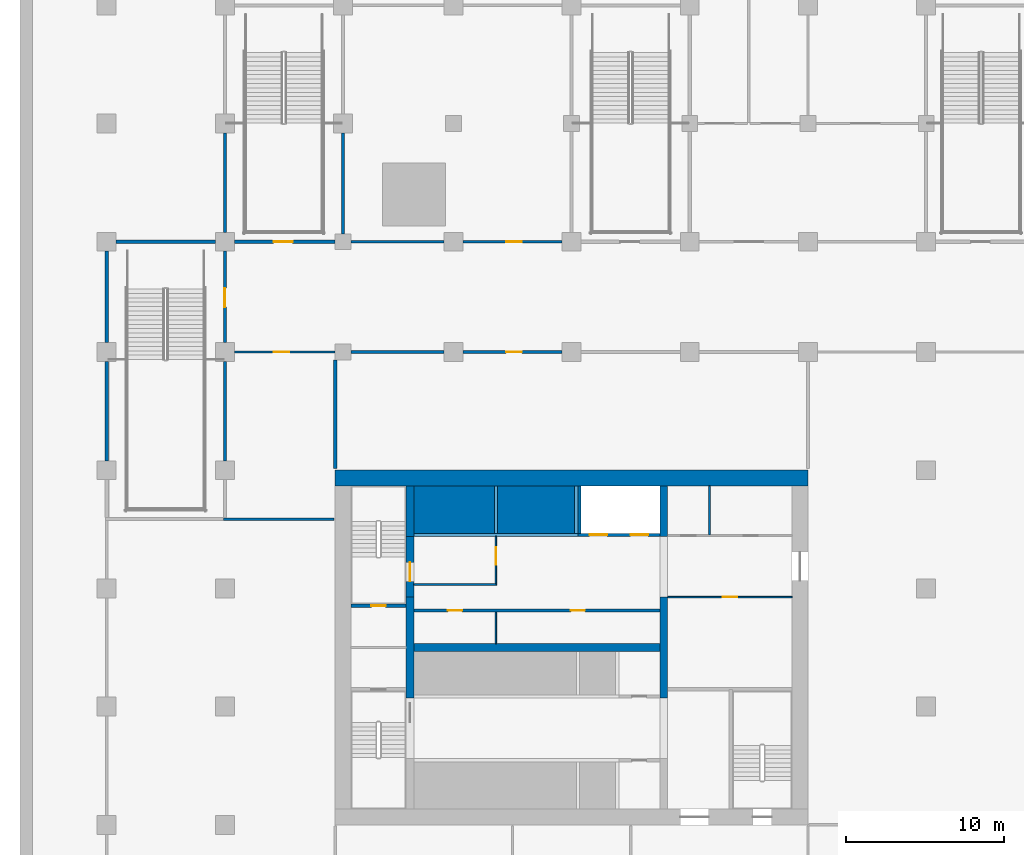
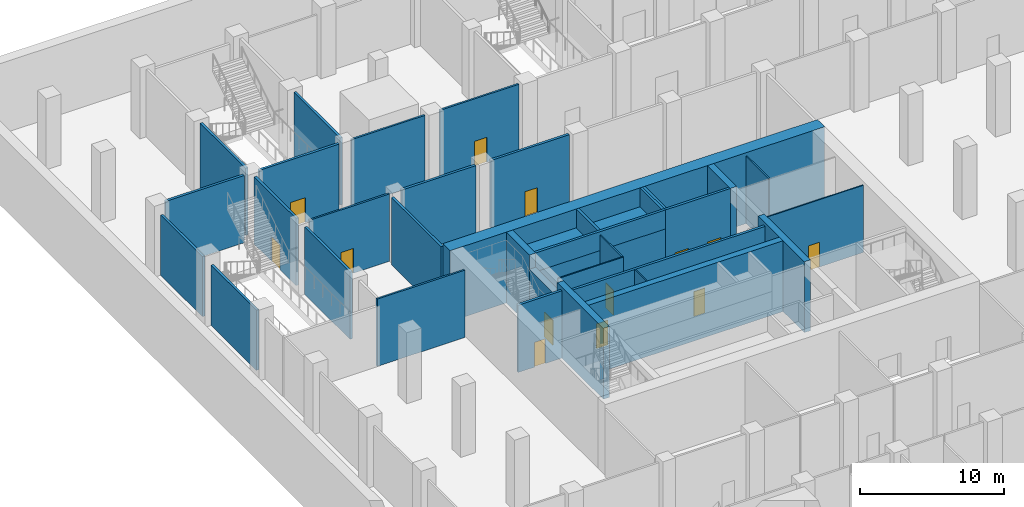
# One storey, part 9 of 45: 35 walls, 13 doors, 13 openings.
"""IFC4 building model written with IfcOpenShell, lengths in metres."""

from ifc_helpers import new_model, si_unit, direction, frame, frame_2d, origin, place, context, subcontext, project, spatial, rectangle, extrude, material, layer, layer_set, type_object, element, fill, save


model = new_model("IFC4")

# Units and contexts
model_context = context("Model", 3, precision=1e-05, world=origin(), true_north=direction((0.0, 1.0)))
body_context = subcontext(model_context, "Body", "Model", "MODEL_VIEW")
ifc_project = project(units=[si_unit("LENGTHUNIT", "METRE"), si_unit("AREAUNIT", "SQUARE_METRE"), si_unit("VOLUMEUNIT", "CUBIC_METRE"), si_unit("PLANEANGLEUNIT", "RADIAN"), si_unit("MASSUNIT", "GRAM", prefix="KILO")], contexts=[model_context])

# Site, building, storey
site_placement = place(None, origin())
site = spatial("IfcSite", under=ifc_project, at=site_placement, CompositionType="ELEMENT")
building_placement = place(site_placement, origin())
building = spatial("IfcBuilding", under=site, at=building_placement, Name="Tamorin Gate", CompositionType="ELEMENT")
storey_placement = place(building_placement, frame((0.0, 0.0, -6.0)))
storey = spatial("IfcBuildingStorey", under=building, at=storey_placement, Name="B1", CompositionType="ELEMENT", Elevation=-6.0)

# Wall
ifc_material_1 = material(Name="Concrete C32/40", Category="concrete")
ifc_layer_1 = layer(ifc_material_1, 0.199951171875)
ifc_layer_set_1 = layer_set([ifc_layer_1], Name="Lift lobby face wall 200 EI 120")
wall_type_1 = type_object("IfcWallType", Name="Lift lobby face wall 200 EI 120", PredefinedType="SOLIDWALL", material=ifc_layer_set_1)
wall_1_placement = place(storey_placement, frame((35.0, 78.39990234375, 4.39990234375), z_axis=(0.0, 0.0, 1.0), x_axis=(1.0, 0.0, 0.0)))
element("IfcWall", 1, at=wall_1_placement, inside=storey, type_object=wall_type_1, Name="Lift lobby face wall", PredefinedType="SOLIDWALL", context=body_context, shape_type="SweptSolid", body=[
    extrude(rectangle(XDim=10.39990234375, YDim=0.199951171875, at=frame_2d((5.199951171875, 0.0))), origin(), (0.0, 0.0, 1.0), 1.60009765625),
])

# Wall, openings, doors
wall_2_placement = place(storey_placement, frame((45.39990234375, 78.39990234375, 0.0), z_axis=(0.0, 0.0, 1.0), x_axis=(1.0, 0.0, 0.0)))
wall_2 = element("IfcWall", 2, at=wall_2_placement, inside=storey, type_object=wall_type_1, Name="Lift lobby face wall", PredefinedType="SOLIDWALL", context=body_context, shape_type="SweptSolid", body=[
    extrude(rectangle(XDim=5.2001953125, YDim=0.199951171875, at=frame_2d((2.60009765625, 0.0))), origin(), (0.0, 0.0, 1.0), 6.0),
])
opening_1_placement = place(wall_2_placement, frame((0.75, 0.0, 0.0)))
opening_1 = element("IfcOpeningElement", 3, at=opening_1_placement, cuts=wall_2, Name="Opening LD21", PredefinedType="OPENING", context=body_context, shape_type="SweptSolid", body=[
    extrude(rectangle(XDim=1.10009765625, YDim=2.10009765625, at=frame_2d((0.550048828125, 1.050048828125))), frame((0.0, 0.10986328125, 0.0), z_axis=(0.0, -1.0, 0.0), x_axis=(1.0, 0.0, 0.0)), (0.0, 0.0, 1.0), 0.219970703125),
])
opening_2_placement = place(wall_2_placement, frame((3.35009765625, 0.0, 0.0)))
opening_2 = element("IfcOpeningElement", 4, at=opening_2_placement, cuts=wall_2, Name="Opening LD22", PredefinedType="OPENING", context=body_context, shape_type="SweptSolid", body=[
    extrude(rectangle(XDim=1.10009765625, YDim=2.10009765625, at=frame_2d((0.550048828125, 1.050048828125))), frame((0.0, 0.10986328125, 0.0), z_axis=(0.0, -1.0, 0.0), x_axis=(1.0, 0.0, 0.0)), (0.0, 0.0, 1.0), 0.219970703125),
])
ifc_material_2 = material(Name="Stainless steel sliding door", Category="steel")
door_type_1 = type_object("IfcDoorType", Name="Lift landing door 1100 x 2100 E 90", OperationType="DOUBLE_DOOR_SLIDING", PredefinedType="DOOR", material=ifc_material_2)
door_1_placement = place(opening_1_placement, origin())
door_1 = element("IfcDoor", 5, at=door_1_placement, inside=storey, type_object=door_type_1, Name="SV1 landing door", OperationType="DOUBLE_DOOR_SLIDING", OverallHeight=2.10009765625, OverallWidth=1.10009765625, PredefinedType="DOOR", context=body_context, shape_type="SweptSolid", body=[
    extrude(rectangle(XDim=1.10009765625, YDim=2.10009765625, at=frame_2d((0.550048828125, 1.050048828125))), frame((0.0, 0.02490234375, 0.0), z_axis=(0.0, -1.0, 0.0), x_axis=(1.0, 0.0, 0.0)), (0.0, 0.0, 1.0), 0.050048828125),
])
fill(opening_1, door_1)
door_2_placement = place(opening_2_placement, origin())
door_2 = element("IfcDoor", 6, at=door_2_placement, inside=storey, type_object=door_type_1, Name="SV2 landing door", OperationType="DOUBLE_DOOR_SLIDING", OverallHeight=2.10009765625, OverallWidth=1.10009765625, PredefinedType="DOOR", context=body_context, shape_type="SweptSolid", body=[
    extrude(rectangle(XDim=1.10009765625, YDim=2.10009765625, at=frame_2d((0.550048828125, 1.050048828125))), frame((0.0, 0.02490234375, 0.0), z_axis=(0.0, -1.0, 0.0), x_axis=(1.0, 0.0, 0.0)), (0.0, 0.0, 1.0), 0.050048828125),
])
fill(opening_2, door_2)

# Walls
ifc_material_3 = material(Name="Concrete C40/50", Category="concrete")
ifc_layer_2 = layer(ifc_material_3, 3.199951171875)
ifc_layer_set_2 = layer_set([ifc_layer_2], Name="Lift pit plinth wall 3200 C40/50")
wall_type_2 = type_object("IfcWallType", Name="Lift pit plinth wall 3200 C40/50", PredefinedType="SOLIDWALL", material=ifc_layer_set_2)
wall_3_placement = place(storey_placement, frame((35.0, 79.89990234375, 0.0), z_axis=(0.0, 0.0, 1.0), x_axis=(1.0, 0.0, 0.0)))
element("IfcWall", 7, at=wall_3_placement, inside=storey, type_object=wall_type_2, Name="Lift pit plinth", PredefinedType="SOLIDWALL", context=body_context, shape_type="SweptSolid", body=[
    extrude(rectangle(XDim=10.39990234375, YDim=3.199951171875, at=frame_2d((5.199951171875, 0.0))), origin(), (0.0, 0.0, 1.0), 4.39990234375),
])
ifc_layer_3 = layer(ifc_material_1, 0.199951171875)
ifc_layer_set_3 = layer_set([ifc_layer_3], Name="Lift shaft wall 200 EI 120")
wall_type_3 = type_object("IfcWallType", Name="Lift shaft wall 200 EI 120", PredefinedType="SOLIDWALL", material=ifc_layer_set_3)
for number, where, z_axis, x_axis, name in (
    (8, (40.199951171875, 78.5, 4.39990234375), (0.0, 0.0, 1.0), (0.0, 1.0, 0.0), "Lift shaft wall"),
    (9, (45.300048828125, 78.5, 4.39990234375), (0.0, 0.0, 1.0), (0.0, 1.0, 0.0), "Lift shaft wall"),
):
    element("IfcWall", number, at=place(storey_placement, frame(where, z_axis=z_axis, x_axis=x_axis)), inside=storey, type_object=wall_type_3, Name=name, PredefinedType="SOLIDWALL", context=body_context, shape_type="SweptSolid", body=[
        extrude(rectangle(XDim=3.0, YDim=0.199951171875, at=frame_2d((1.5, 0.0))), origin(), (0.0, 0.0, 1.0), 1.60009765625),
    ])
wall_4_placement = place(storey_placement, frame((45.5, 78.5, 0.0), z_axis=(0.0, 0.0, 1.0), x_axis=(0.0, 1.0, 0.0)))
element("IfcWall", 10, at=wall_4_placement, inside=storey, type_object=wall_type_3, Name="Lift shaft wall", PredefinedType="SOLIDWALL", context=body_context, shape_type="SweptSolid", body=[
    extrude(rectangle(XDim=3.0, YDim=0.199951171875, at=frame_2d((1.5, 0.0))), origin(), (0.0, 0.0, 1.0), 6.0),
])
ifc_material_4 = material(Name="Fire-rated gypsum board partition")
ifc_layer_4 = layer(ifc_material_4, 0.10009765625)
ifc_layer_set_4 = layer_set([ifc_layer_4], Name="Lobby wall 100 EI 60")
wall_type_4 = type_object("IfcWallType", Name="Lobby wall 100 EI 60", PredefinedType="PARTITIONING", material=ifc_layer_set_4)
wall_5_placement = place(storey_placement, frame((35.0, 75.25, 0.0), z_axis=(0.0, 0.0, 1.0), x_axis=(1.0, 0.0, 0.0)))
element("IfcWall", 11, at=wall_5_placement, inside=storey, type_object=wall_type_4, Name="Firefighting lobby wall", PredefinedType="PARTITIONING", context=body_context, shape_type="SweptSolid", body=[
    extrude(rectangle(XDim=5.25, YDim=0.10009765625, at=frame_2d((2.625, 0.0))), origin(), (0.0, 0.0, 1.0), 5.699951171875),
])

# Wall, opening, door
wall_6_placement = place(storey_placement, frame((40.199951171875, 75.300048828125, 0.0), z_axis=(0.0, 0.0, 1.0), x_axis=(0.0, 1.0, 0.0)))
wall_6 = element("IfcWall", 12, at=wall_6_placement, inside=storey, type_object=wall_type_4, Name="Firefighting lobby wall", PredefinedType="PARTITIONING", context=body_context, shape_type="SweptSolid", body=[
    extrude(rectangle(XDim=3.0, YDim=0.10009765625, at=frame_2d((1.5, 0.0))), origin(), (0.0, 0.0, 1.0), 5.699951171875),
])
opening_3_placement = place(wall_6_placement, frame((1.199951171875, 0.0, 0.0)))
opening_3 = element("IfcOpeningElement", 13, at=opening_3_placement, cuts=wall_6, Name="Opening DF1", PredefinedType="OPENING", context=body_context, shape_type="SweptSolid", body=[
    extrude(rectangle(XDim=1.10009765625, YDim=2.10009765625, at=frame_2d((0.550048828125, 1.050048828125))), frame((0.0, 0.06005859375, 0.0), z_axis=(0.0, -1.0, 0.0), x_axis=(1.0, 0.0, 0.0)), (0.0, 0.0, 1.0), 0.1201171875),
])
ifc_material_5 = material(Name="Steel fire door", Category="steel")
door_type_2 = type_object("IfcDoorType", Name="Firefighting lobby door 1100 x 2100 EI 90", OperationType="SINGLE_SWING_LEFT", PredefinedType="DOOR", material=ifc_material_5)
door_3_placement = place(opening_3_placement, origin())
door_3 = element("IfcDoor", 14, at=door_3_placement, inside=storey, type_object=door_type_2, Name="Firefighting lobby door", OperationType="SINGLE_SWING_LEFT", OverallHeight=2.10009765625, OverallWidth=1.10009765625, PredefinedType="DOOR", context=body_context, shape_type="SweptSolid", body=[
    extrude(rectangle(XDim=1.10009765625, YDim=2.10009765625, at=frame_2d((0.550048828125, 1.050048828125))), frame((0.0, 0.02490234375, 0.0), z_axis=(0.0, -1.0, 0.0), x_axis=(1.0, 0.0, 0.0)), (0.0, 0.0, 1.0), 0.050048828125),
])
fill(opening_3, door_3)

ifc_material_6 = material(Name="Concrete masonry C20/25", Category="masonry")
ifc_layer_5 = layer(ifc_material_6, 0.14990234375)
ifc_layer_set_5 = layer_set([ifc_layer_5], Name="Partition 150")
wall_type_5 = type_object("IfcWallType", Name="Partition 150", PredefinedType="PARTITIONING", material=ifc_layer_set_5)
wall_7_placement = place(storey_placement, frame((23.60009765625, 90.0, 0.0), z_axis=(0.0, 0.0, 1.0), x_axis=(1.0, 0.0, 0.0)))
wall_7 = element("IfcWall", 15, at=wall_7_placement, inside=storey, type_object=wall_type_5, Name="Partition 150 B1", PredefinedType="PARTITIONING", context=body_context, shape_type="SweptSolid", body=[
    extrude(rectangle(XDim=6.39990234375, YDim=0.14990234375, at=frame_2d((3.199951171875, 0.0))), origin(), (0.0, 0.0, 1.0), 5.699951171875),
])
opening_4_placement = place(wall_7_placement, frame((2.5, 0.0, 0.0)))
opening_4 = element("IfcOpeningElement", 16, at=opening_4_placement, cuts=wall_7, Name="Opening DP2", PredefinedType="OPENING", context=body_context, shape_type="SweptSolid", body=[
    extrude(rectangle(XDim=1.0, YDim=2.10009765625, at=frame_2d((0.5, 1.050048828125))), frame((0.0, 0.0849609375, 0.0), z_axis=(0.0, -1.0, 0.0), x_axis=(1.0, 0.0, 0.0)), (0.0, 0.0, 1.0), 0.169921875),
])
ifc_material_7 = material(Name="Painted steel", Category="steel")
door_type_3 = type_object("IfcDoorType", Name="Door single 1000", OperationType="SINGLE_SWING_LEFT", PredefinedType="DOOR", material=ifc_material_7)
door_4_placement = place(opening_4_placement, origin())
door_4 = element("IfcDoor", 17, at=door_4_placement, inside=storey, type_object=door_type_3, Name="Door single 1000 B1", OperationType="SINGLE_SWING_LEFT", OverallHeight=2.10009765625, OverallWidth=1.0, PredefinedType="DOOR", context=body_context, shape_type="SweptSolid", body=[
    extrude(rectangle(XDim=1.0, YDim=2.10009765625, at=frame_2d((0.5, 1.050048828125))), frame((0.0, 0.02490234375, 0.0), z_axis=(0.0, -1.0, 0.0), x_axis=(1.0, 0.0, 0.0)), (0.0, 0.0, 1.0), 0.050048828125),
])
fill(opening_4, door_4)

# Wall
wall_8_placement = place(storey_placement, frame((31.0, 97.0, 0.0), z_axis=(0.0, 0.0, 1.0), x_axis=(1.0, 0.0, 0.0)))
element("IfcWall", 18, at=wall_8_placement, inside=storey, type_object=wall_type_5, Name="Partition 150 B1", PredefinedType="PARTITIONING", context=body_context, shape_type="SweptSolid", body=[
    extrude(rectangle(XDim=5.89990234375, YDim=0.14990234375, at=frame_2d((2.949951171875, 0.0))), origin(), (0.0, 0.0, 1.0), 5.699951171875),
])

# Wall, opening, door
wall_9_placement = place(storey_placement, frame((44.39990234375, 97.0, 0.0), z_axis=(0.0, 0.0, 1.0), x_axis=(-1.0, 0.0, 0.0)))
wall_9 = element("IfcWall", 19, at=wall_9_placement, inside=storey, type_object=wall_type_5, Name="Partition 150 B1", PredefinedType="PARTITIONING", context=body_context, shape_type="SweptSolid", body=[
    extrude(rectangle(XDim=6.2998046875, YDim=0.14990234375, at=frame_2d((3.14990234375, 0.0))), origin(), (0.0, 0.0, 1.0), 5.699951171875),
])
opening_5_placement = place(wall_9_placement, frame((2.550048828125, 0.0, 0.0)))
opening_5 = element("IfcOpeningElement", 20, at=opening_5_placement, cuts=wall_9, Name="Opening DP2", PredefinedType="OPENING", context=body_context, shape_type="SweptSolid", body=[
    extrude(rectangle(XDim=1.0, YDim=2.10009765625, at=frame_2d((0.5, 1.050048828125))), frame((0.0, 0.0849609375, 0.0), z_axis=(0.0, -1.0, 0.0), x_axis=(1.0, 0.0, 0.0)), (0.0, 0.0, 1.0), 0.169921875),
])
door_5_placement = place(opening_5_placement, origin())
door_5 = element("IfcDoor", 21, at=door_5_placement, inside=storey, type_object=door_type_3, Name="Door single 1000 B1", OperationType="SINGLE_SWING_LEFT", OverallHeight=2.10009765625, OverallWidth=1.0, PredefinedType="DOOR", context=body_context, shape_type="SweptSolid", body=[
    extrude(rectangle(XDim=1.0, YDim=2.10009765625, at=frame_2d((0.5, 1.050048828125))), frame((0.0, 0.02490234375, 0.0), z_axis=(0.0, -1.0, 0.0), x_axis=(1.0, 0.0, 0.0)), (0.0, 0.0, 1.0), 0.050048828125),
])
fill(opening_5, door_5)

# Walls
wall_10_placement = place(storey_placement, frame((22.89990234375, 79.39990234375, 0.0), z_axis=(0.0, 0.0, 1.0), x_axis=(1.0, 0.0, 0.0)))
element("IfcWall", 22, at=wall_10_placement, inside=storey, type_object=wall_type_5, Name="Partition 150 B1", PredefinedType="PARTITIONING", context=body_context, shape_type="SweptSolid", body=[
    extrude(rectangle(XDim=7.025146484375, YDim=0.14990234375, at=frame_2d((3.5126953125, 0.0))), origin(), (0.0, 0.0, 1.0), 5.699951171875),
])
ifc_layer_6 = layer(ifc_material_6, 0.199951171875)
ifc_layer_set_6 = layer_set([ifc_layer_6], Name="Plant room wall 200")
wall_type_6 = type_object("IfcWallType", Name="Plant room wall 200", PredefinedType="PARTITIONING", material=ifc_layer_set_6)
wall_11_placement = place(storey_placement, frame((31.0, 90.0, 0.0), z_axis=(0.0, 0.0, 1.0), x_axis=(1.0, 0.0, 0.0)))
element("IfcWall", 23, at=wall_11_placement, inside=storey, type_object=wall_type_6, Name="Plant room wall 200 B1", PredefinedType="PARTITIONING", context=body_context, shape_type="SweptSolid", body=[
    extrude(rectangle(XDim=5.89990234375, YDim=0.199951171875, at=frame_2d((2.949951171875, 0.0))), origin(), (0.0, 0.0, 1.0), 5.699951171875),
])

# Wall, opening, door
wall_12_placement = place(storey_placement, frame((38.10009765625, 90.0, 0.0), z_axis=(0.0, 0.0, 1.0), x_axis=(1.0, 0.0, 0.0)))
wall_12 = element("IfcWall", 24, at=wall_12_placement, inside=storey, type_object=wall_type_6, Name="Plant room wall 200 B1", PredefinedType="PARTITIONING", context=body_context, shape_type="SweptSolid", body=[
    extrude(rectangle(XDim=6.2998046875, YDim=0.199951171875, at=frame_2d((3.14990234375, 0.0))), origin(), (0.0, 0.0, 1.0), 5.699951171875),
])
opening_6_placement = place(wall_12_placement, frame((2.75, 0.0, 0.0)))
opening_6 = element("IfcOpeningElement", 25, at=opening_6_placement, cuts=wall_12, Name="Opening DP2", PredefinedType="OPENING", context=body_context, shape_type="SweptSolid", body=[
    extrude(rectangle(XDim=1.0, YDim=2.10009765625, at=frame_2d((0.5, 1.050048828125))), frame((0.0, 0.10986328125, 0.0), z_axis=(0.0, -1.0, 0.0), x_axis=(1.0, 0.0, 0.0)), (0.0, 0.0, 1.0), 0.219970703125),
])
door_6_placement = place(opening_6_placement, origin())
door_6 = element("IfcDoor", 26, at=door_6_placement, inside=storey, type_object=door_type_3, Name="Door single 1000 B1", OperationType="SINGLE_SWING_LEFT", OverallHeight=2.10009765625, OverallWidth=1.0, PredefinedType="DOOR", context=body_context, shape_type="SweptSolid", body=[
    extrude(rectangle(XDim=1.0, YDim=2.10009765625, at=frame_2d((0.5, 1.050048828125))), frame((0.0, 0.02490234375, 0.0), z_axis=(0.0, -1.0, 0.0), x_axis=(1.0, 0.0, 0.0)), (0.0, 0.0, 1.0), 0.050048828125),
])
fill(opening_6, door_6)

# Walls
wall_13_placement = place(storey_placement, frame((30.0, 82.60009765625, 0.0), z_axis=(0.0, 0.0, 1.0), x_axis=(0.0, 1.0, 0.0)))
element("IfcWall", 27, at=wall_13_placement, inside=storey, type_object=wall_type_6, Name="Plant room wall 200 B1", PredefinedType="PARTITIONING", context=body_context, shape_type="SweptSolid", body=[
    extrude(rectangle(XDim=6.89990234375, YDim=0.199951171875, at=frame_2d((3.449951171875, 0.0))), origin(), (0.0, 0.0, 1.0), 5.699951171875),
])
ifc_material_8 = material(Name="Concrete C80/95", Category="concrete")
ifc_layer_7 = layer(ifc_material_8, 0.5)
ifc_layer_set_7 = layer_set([ifc_layer_7], Name="RC core internal wall 500 C80/95")
wall_type_7 = type_object("IfcWallType", Name="RC core internal wall 500 C80/95", PredefinedType="SHEAR", material=ifc_layer_set_7)
wall_14_placement = place(storey_placement, frame((35.0, 71.25, 0.0), z_axis=(0.0, 0.0, 1.0), x_axis=(1.0, 0.0, 0.0)))
element("IfcWall", 28, at=wall_14_placement, inside=storey, type_object=wall_type_7, Name="Core spine wall B1", PredefinedType="SHEAR", context=body_context, shape_type="SweptSolid", body=[
    extrude(rectangle(XDim=15.60009765625, YDim=0.5, at=frame_2d((7.800048828125, 0.0))), origin(), (0.0, 0.0, 1.0), 6.0),
])
wall_15_placement = place(storey_placement, frame((34.75, 68.050048828125, 0.0), z_axis=(0.0, 0.0, 1.0), x_axis=(0.0, 1.0, 0.0)))
element("IfcWall", 29, at=wall_15_placement, inside=storey, type_object=wall_type_7, Name="Core cross wall B1", PredefinedType="SHEAR", context=body_context, shape_type="SweptSolid", body=[
    extrude(rectangle(XDim=6.39990234375, YDim=0.5, at=frame_2d((3.199951171875, 0.0))), origin(), (0.0, 0.0, 1.0), 6.0),
])
wall_16_placement = place(storey_placement, frame((34.75, 78.300048828125, 0.0), z_axis=(0.0, 0.0, 1.0), x_axis=(0.0, 1.0, 0.0)))
element("IfcWall", 30, at=wall_16_placement, inside=storey, type_object=wall_type_7, Name="Core cross wall B1", PredefinedType="SHEAR", context=body_context, shape_type="SweptSolid", body=[
    extrude(rectangle(XDim=3.199951171875, YDim=0.5, at=frame_2d((1.60009765625, 0.0))), origin(), (0.0, 0.0, 1.0), 6.0),
])
wall_17_placement = place(storey_placement, frame((50.85009765625, 68.050048828125, 0.0), z_axis=(0.0, 0.0, 1.0), x_axis=(0.0, 1.0, 0.0)))
element("IfcWall", 31, at=wall_17_placement, inside=storey, type_object=wall_type_7, Name="Core cross wall B1", PredefinedType="SHEAR", context=body_context, shape_type="SweptSolid", body=[
    extrude(rectangle(XDim=6.39990234375, YDim=0.5, at=frame_2d((3.199951171875, 0.0))), origin(), (0.0, 0.0, 1.0), 6.0),
])
wall_18_placement = place(storey_placement, frame((50.85009765625, 78.300048828125, 0.0), z_axis=(0.0, 0.0, 1.0), x_axis=(0.0, 1.0, 0.0)))
element("IfcWall", 32, at=wall_18_placement, inside=storey, type_object=wall_type_7, Name="Core cross wall B1", PredefinedType="SHEAR", context=body_context, shape_type="SweptSolid", body=[
    extrude(rectangle(XDim=3.199951171875, YDim=0.5, at=frame_2d((1.60009765625, 0.0))), origin(), (0.0, 0.0, 1.0), 6.0),
])
ifc_layer_8 = layer(ifc_material_8, 1.0)
ifc_layer_set_8 = layer_set([ifc_layer_8], Name="RC core wall 1000 C80/95")
wall_type_8 = type_object("IfcWallType", Name="RC core wall 1000 C80/95", PredefinedType="SHEAR", material=ifc_layer_set_8)
wall_19_placement = place(storey_placement, frame((30.0, 82.0, 0.0), z_axis=(0.0, 0.0, 1.0), x_axis=(1.0, 0.0, 0.0)))
element("IfcWall", 33, at=wall_19_placement, inside=storey, type_object=wall_type_8, Name="Core wall B1", PredefinedType="SHEAR", context=body_context, shape_type="SweptSolid", body=[
    extrude(rectangle(XDim=30.0, YDim=1.0, at=frame_2d((15.0, 0.0))), origin(), (0.0, 0.0, 1.0), 6.0),
])

# Wall, openings, doors
ifc_material_9 = material(Name="Gypsum board partition")
ifc_layer_9 = layer(ifc_material_9, 0.199951171875)
ifc_layer_set_9 = layer_set([ifc_layer_9], Name="Service room face wall 200 EI 60")
wall_type_9 = type_object("IfcWallType", Name="Service room face wall 200 EI 60", PredefinedType="PARTITIONING", material=ifc_layer_set_9)
wall_20_placement = place(storey_placement, frame((35.0, 73.60009765625, 0.0), z_axis=(0.0, 0.0, 1.0), x_axis=(1.0, 0.0, 0.0)))
wall_20 = element("IfcWall", 34, at=wall_20_placement, inside=storey, type_object=wall_type_9, Name="Service room face wall", PredefinedType="PARTITIONING", context=body_context, shape_type="SweptSolid", body=[
    extrude(rectangle(XDim=15.60009765625, YDim=0.199951171875, at=frame_2d((7.800048828125, 0.0))), origin(), (0.0, 0.0, 1.0), 5.699951171875),
])
opening_7_placement = place(wall_20_placement, frame((2.14990234375, 0.0, 0.0)))
opening_7 = element("IfcOpeningElement", 35, at=opening_7_placement, cuts=wall_20, Name="Opening DK1", PredefinedType="OPENING", context=body_context, shape_type="SweptSolid", body=[
    extrude(rectangle(XDim=0.89990234375, YDim=2.10009765625, at=frame_2d((0.449951171875, 1.050048828125))), frame((0.0, 0.10986328125, 0.0), z_axis=(0.0, -1.0, 0.0), x_axis=(1.0, 0.0, 0.0)), (0.0, 0.0, 1.0), 0.219970703125),
])
opening_8_placement = place(wall_20_placement, frame((9.949951171875, 0.0, 0.0)))
opening_8 = element("IfcOpeningElement", 36, at=opening_8_placement, cuts=wall_20, Name="Opening DK1", PredefinedType="OPENING", context=body_context, shape_type="SweptSolid", body=[
    extrude(rectangle(XDim=0.89990234375, YDim=2.10009765625, at=frame_2d((0.449951171875, 1.050048828125))), frame((0.0, 0.10986328125, 0.0), z_axis=(0.0, -1.0, 0.0), x_axis=(1.0, 0.0, 0.0)), (0.0, 0.0, 1.0), 0.219970703125),
])
ifc_material_10 = material(Name="Timber fire door", Category="wood")
door_type_4 = type_object("IfcDoorType", Name="Service room door 900 x 2100 EI 60", OperationType="SINGLE_SWING_LEFT", PredefinedType="DOOR", material=ifc_material_10)
door_7_placement = place(opening_7_placement, origin())
door_7 = element("IfcDoor", 37, at=door_7_placement, inside=storey, type_object=door_type_4, Name="Door Maintenance store", OperationType="SINGLE_SWING_LEFT", OverallHeight=2.10009765625, OverallWidth=0.89990234375, PredefinedType="DOOR", context=body_context, shape_type="SweptSolid", body=[
    extrude(rectangle(XDim=0.89990234375, YDim=2.10009765625, at=frame_2d((0.449951171875, 1.050048828125))), frame((0.0, 0.02490234375, 0.0), z_axis=(0.0, -1.0, 0.0), x_axis=(1.0, 0.0, 0.0)), (0.0, 0.0, 1.0), 0.050048828125),
])
fill(opening_7, door_7)
door_8_placement = place(opening_8_placement, origin())
door_8 = element("IfcDoor", 38, at=door_8_placement, inside=storey, type_object=door_type_4, Name="Door Staff WC", OperationType="SINGLE_SWING_RIGHT", OverallHeight=2.10009765625, OverallWidth=0.89990234375, PredefinedType="DOOR", context=body_context, shape_type="SweptSolid", body=[
    extrude(rectangle(XDim=0.89990234375, YDim=2.10009765625, at=frame_2d((0.449951171875, 1.050048828125))), frame((0.0, 0.02490234375, 0.0), z_axis=(0.0, -1.0, 0.0), x_axis=(1.0, 0.0, 0.0)), (0.0, 0.0, 1.0), 0.050048828125),
])
fill(opening_8, door_8)

# Wall
ifc_layer_10 = layer(ifc_material_9, 0.10009765625)
ifc_layer_set_10 = layer_set([ifc_layer_10], Name="Service room partition 100 EI 60")
wall_type_10 = type_object("IfcWallType", Name="Service room partition 100 EI 60", PredefinedType="PARTITIONING", material=ifc_layer_set_10)
wall_21_placement = place(storey_placement, frame((40.199951171875, 71.5, 0.0), z_axis=(0.0, 0.0, 1.0), x_axis=(0.0, 1.0, 0.0)))
element("IfcWall", 39, at=wall_21_placement, inside=storey, type_object=wall_type_10, Name="Service room partition", PredefinedType="PARTITIONING", context=body_context, shape_type="SweptSolid", body=[
    extrude(rectangle(XDim=2.0, YDim=0.10009765625, at=frame_2d((1.0, 0.0))), origin(), (0.0, 0.0, 1.0), 5.699951171875),
])

# Wall, opening, door
wall_22_placement = place(storey_placement, frame((51.10009765625, 74.449951171875, 0.0), z_axis=(0.0, 0.0, 1.0), x_axis=(1.0, 0.0, 0.0)))
wall_22 = element("IfcWall", 40, at=wall_22_placement, inside=storey, type_object=wall_type_10, Name="Service room wall", PredefinedType="PARTITIONING", context=body_context, shape_type="SweptSolid", body=[
    extrude(rectangle(XDim=7.89990234375, YDim=0.10009765625, at=frame_2d((3.949951171875, 0.0))), origin(), (0.0, 0.0, 1.0), 5.699951171875),
])
opening_9_placement = place(wall_22_placement, frame((3.5, 0.0, 0.0)))
opening_9 = element("IfcOpeningElement", 41, at=opening_9_placement, cuts=wall_22, Name="Opening DR1", PredefinedType="OPENING", context=body_context, shape_type="SweptSolid", body=[
    extrude(rectangle(XDim=0.89990234375, YDim=2.10009765625, at=frame_2d((0.449951171875, 1.050048828125))), frame((0.0, 0.06005859375, 0.0), z_axis=(0.0, -1.0, 0.0), x_axis=(1.0, 0.0, 0.0)), (0.0, 0.0, 1.0), 0.1201171875),
])
door_type_5 = type_object("IfcDoorType", Name="Riser access door 900 x 2100 EI 120", OperationType="SINGLE_SWING_LEFT", PredefinedType="DOOR", material=ifc_material_5)
door_9_placement = place(opening_9_placement, origin())
door_9 = element("IfcDoor", 42, at=door_9_placement, inside=storey, type_object=door_type_5, Name="Duct riser door", OperationType="SINGLE_SWING_LEFT", OverallHeight=2.10009765625, OverallWidth=0.89990234375, PredefinedType="DOOR", context=body_context, shape_type="SweptSolid", body=[
    extrude(rectangle(XDim=0.89990234375, YDim=2.10009765625, at=frame_2d((0.449951171875, 1.050048828125))), frame((0.0, 0.02490234375, 0.0), z_axis=(0.0, -1.0, 0.0), x_axis=(1.0, 0.0, 0.0)), (0.0, 0.0, 1.0), 0.050048828125),
])
fill(opening_9, door_9)

# Walls
wall_23_placement = place(storey_placement, frame((53.75, 78.39990234375, 0.0), z_axis=(0.0, 0.0, 1.0), x_axis=(0.0, 1.0, 0.0)))
element("IfcWall", 43, at=wall_23_placement, inside=storey, type_object=wall_type_10, Name="Service room partition", PredefinedType="PARTITIONING", context=body_context, shape_type="SweptSolid", body=[
    extrude(rectangle(XDim=3.10009765625, YDim=0.10009765625, at=frame_2d((1.550048828125, 0.0))), origin(), (0.0, 0.0, 1.0), 5.699951171875),
])
ifc_layer_11 = layer(ifc_material_3, 0.199951171875)
ifc_layer_set_11 = layer_set([ifc_layer_11], Name="Stair enclosure 200")
wall_type_11 = type_object("IfcWallType", Name="Stair enclosure 200", PredefinedType="SHEAR", material=ifc_layer_set_11)
wall_24_placement = place(storey_placement, frame((16.10009765625, 97.0, 0.0), z_axis=(0.0, 0.0, 1.0), x_axis=(1.0, 0.0, 0.0)))
element("IfcWall", 44, at=wall_24_placement, inside=storey, type_object=wall_type_11, Name="Stair enclosure 200 B1", PredefinedType="SHEAR", context=body_context, shape_type="SweptSolid", body=[
    extrude(rectangle(XDim=6.2998046875, YDim=0.199951171875, at=frame_2d((3.14990234375, 0.0))), origin(), (0.0, 0.0, 1.0), 5.699951171875),
])

# Wall, opening, door
wall_25_placement = place(storey_placement, frame((23.60009765625, 97.0, 0.0), z_axis=(0.0, 0.0, 1.0), x_axis=(1.0, 0.0, 0.0)))
wall_25 = element("IfcWall", 45, at=wall_25_placement, inside=storey, type_object=wall_type_11, Name="Stair enclosure 200 B1", PredefinedType="SHEAR", context=body_context, shape_type="SweptSolid", body=[
    extrude(rectangle(XDim=6.39990234375, YDim=0.199951171875, at=frame_2d((3.199951171875, 0.0))), origin(), (0.0, 0.0, 1.0), 5.699951171875),
])
opening_10_placement = place(wall_25_placement, frame((2.5, 0.0, 0.0)))
opening_10 = element("IfcOpeningElement", 46, at=opening_10_placement, cuts=wall_25, Name="Opening DP5", PredefinedType="OPENING", context=body_context, shape_type="SweptSolid", body=[
    extrude(rectangle(XDim=1.199951171875, YDim=2.10009765625, at=frame_2d((0.60009765625, 1.050048828125))), frame((0.0, 0.10986328125, 0.0), z_axis=(0.0, -1.0, 0.0), x_axis=(1.0, 0.0, 0.0)), (0.0, 0.0, 1.0), 0.219970703125),
])
door_type_6 = type_object("IfcDoorType", Name="Stair door 1200", OperationType="SINGLE_SWING_LEFT", PredefinedType="DOOR", material=ifc_material_7)
door_10_placement = place(opening_10_placement, origin())
door_10 = element("IfcDoor", 47, at=door_10_placement, inside=storey, type_object=door_type_6, Name="Stair door 1200 B1", OperationType="SINGLE_SWING_LEFT", OverallHeight=2.10009765625, OverallWidth=1.199951171875, PredefinedType="DOOR", context=body_context, shape_type="SweptSolid", body=[
    extrude(rectangle(XDim=1.199951171875, YDim=2.10009765625, at=frame_2d((0.60009765625, 1.050048828125))), frame((0.0, 0.02490234375, 0.0), z_axis=(0.0, -1.0, 0.0), x_axis=(1.0, 0.0, 0.0)), (0.0, 0.0, 1.0), 0.050048828125),
])
fill(opening_10, door_10)

# Walls
wall_26_placement = place(storey_placement, frame((15.5, 83.10009765625, 0.0), z_axis=(0.0, 0.0, 1.0), x_axis=(0.0, 1.0, 0.0)))
element("IfcWall", 48, at=wall_26_placement, inside=storey, type_object=wall_type_11, Name="Stair enclosure 200 B1", PredefinedType="SHEAR", context=body_context, shape_type="SweptSolid", body=[
    extrude(rectangle(XDim=6.2998046875, YDim=0.199951171875, at=frame_2d((3.14990234375, 0.0))), origin(), (0.0, 0.0, 1.0), 5.10009765625),
])
wall_27_placement = place(storey_placement, frame((15.5, 90.60009765625, 0.0), z_axis=(0.0, 0.0, 1.0), x_axis=(0.0, 1.0, 0.0)))
element("IfcWall", 49, at=wall_27_placement, inside=storey, type_object=wall_type_11, Name="Stair enclosure 200 B1", PredefinedType="SHEAR", context=body_context, shape_type="SweptSolid", body=[
    extrude(rectangle(XDim=5.7998046875, YDim=0.199951171875, at=frame_2d((2.89990234375, 0.0))), origin(), (0.0, 0.0, 1.0), 5.10009765625),
])
wall_28_placement = place(storey_placement, frame((23.0, 83.10009765625, 0.0), z_axis=(0.0, 0.0, 1.0), x_axis=(0.0, 1.0, 0.0)))
element("IfcWall", 50, at=wall_28_placement, inside=storey, type_object=wall_type_11, Name="Stair enclosure 200 B1", PredefinedType="SHEAR", context=body_context, shape_type="SweptSolid", body=[
    extrude(rectangle(XDim=6.2998046875, YDim=0.199951171875, at=frame_2d((3.14990234375, 0.0))), origin(), (0.0, 0.0, 1.0), 5.699951171875),
])

# Wall, opening, door
wall_29_placement = place(storey_placement, frame((23.0, 90.60009765625, 0.0), z_axis=(0.0, 0.0, 1.0), x_axis=(0.0, 1.0, 0.0)))
wall_29 = element("IfcWall", 51, at=wall_29_placement, inside=storey, type_object=wall_type_11, Name="Stair enclosure 200 B1", PredefinedType="SHEAR", context=body_context, shape_type="SweptSolid", body=[
    extrude(rectangle(XDim=5.7998046875, YDim=0.199951171875, at=frame_2d((2.89990234375, 0.0))), origin(), (0.0, 0.0, 1.0), 5.699951171875),
])
opening_11_placement = place(wall_29_placement, frame((2.25, 0.0, 0.0)))
opening_11 = element("IfcOpeningElement", 52, at=opening_11_placement, cuts=wall_29, Name="Opening DP5", PredefinedType="OPENING", context=body_context, shape_type="SweptSolid", body=[
    extrude(rectangle(XDim=1.199951171875, YDim=2.10009765625, at=frame_2d((0.60009765625, 1.050048828125))), frame((0.0, 0.10986328125, 0.0), z_axis=(0.0, -1.0, 0.0), x_axis=(1.0, 0.0, 0.0)), (0.0, 0.0, 1.0), 0.219970703125),
])
door_11_placement = place(opening_11_placement, origin())
door_11 = element("IfcDoor", 53, at=door_11_placement, inside=storey, type_object=door_type_6, Name="Stair door 1200 B1", OperationType="SINGLE_SWING_LEFT", OverallHeight=2.10009765625, OverallWidth=1.199951171875, PredefinedType="DOOR", context=body_context, shape_type="SweptSolid", body=[
    extrude(rectangle(XDim=1.199951171875, YDim=2.10009765625, at=frame_2d((0.60009765625, 1.050048828125))), frame((0.0, 0.02490234375, 0.0), z_axis=(0.0, -1.0, 0.0), x_axis=(1.0, 0.0, 0.0)), (0.0, 0.0, 1.0), 0.050048828125),
])
fill(opening_11, door_11)

# Walls
wall_30_placement = place(storey_placement, frame((23.0, 97.60009765625, 0.0), z_axis=(0.0, 0.0, 1.0), x_axis=(0.0, 1.0, 0.0)))
element("IfcWall", 54, at=wall_30_placement, inside=storey, type_object=wall_type_11, Name="Stair enclosure 200 B1", PredefinedType="SHEAR", context=body_context, shape_type="SweptSolid", body=[
    extrude(rectangle(XDim=6.2998046875, YDim=0.199951171875, at=frame_2d((3.14990234375, 0.0))), origin(), (0.0, 0.0, 1.0), 5.699951171875),
])
wall_31_placement = place(storey_placement, frame((30.5, 97.5, 0.0), z_axis=(0.0, 0.0, 1.0), x_axis=(0.0, 1.0, 0.0)))
element("IfcWall", 55, at=wall_31_placement, inside=storey, type_object=wall_type_11, Name="Stair enclosure 200 B1", PredefinedType="SHEAR", context=body_context, shape_type="SweptSolid", body=[
    extrude(rectangle(XDim=6.39990234375, YDim=0.199951171875, at=frame_2d((3.199951171875, 0.0))), origin(), (0.0, 0.0, 1.0), 5.699951171875),
])

# Wall, opening, door
ifc_layer_12 = layer(ifc_material_3, 0.199951171875)
ifc_layer_set_12 = layer_set([ifc_layer_12], Name="Stair enclosure wall 200 EI 120 C40/50")
wall_type_12 = type_object("IfcWallType", Name="Stair enclosure wall 200 EI 120 C40/50", PredefinedType="SOLIDWALL", material=ifc_layer_set_12)
wall_32_placement = place(storey_placement, frame((31.0, 73.89990234375, 0.0), z_axis=(0.0, 0.0, 1.0), x_axis=(1.0, 0.0, 0.0)))
wall_32 = element("IfcWall", 56, at=wall_32_placement, inside=storey, type_object=wall_type_12, Name="Stair enclosure wall", PredefinedType="SOLIDWALL", context=body_context, shape_type="SweptSolid", body=[
    extrude(rectangle(XDim=3.5, YDim=0.199951171875, at=frame_2d((1.75, 0.0))), origin(), (0.0, 0.0, 1.0), 5.699951171875),
])
opening_12_placement = place(wall_32_placement, frame((1.300048828125, 0.0, 0.0)))
opening_12 = element("IfcOpeningElement", 57, at=opening_12_placement, cuts=wall_32, Name="Opening DR1", PredefinedType="OPENING", context=body_context, shape_type="SweptSolid", body=[
    extrude(rectangle(XDim=0.89990234375, YDim=2.10009765625, at=frame_2d((0.449951171875, 1.050048828125))), frame((0.0, 0.10986328125, 0.0), z_axis=(0.0, -1.0, 0.0), x_axis=(1.0, 0.0, 0.0)), (0.0, 0.0, 1.0), 0.219970703125),
])
door_12_placement = place(opening_12_placement, origin())
door_12 = element("IfcDoor", 58, at=door_12_placement, inside=storey, type_object=door_type_5, Name="Communications riser door", OperationType="SINGLE_SWING_RIGHT", OverallHeight=2.10009765625, OverallWidth=0.89990234375, PredefinedType="DOOR", context=body_context, shape_type="SweptSolid", body=[
    extrude(rectangle(XDim=0.89990234375, YDim=2.10009765625, at=frame_2d((0.449951171875, 1.050048828125))), frame((0.0, 0.02490234375, 0.0), z_axis=(0.0, -1.0, 0.0), x_axis=(1.0, 0.0, 0.0)), (0.0, 0.0, 1.0), 0.050048828125),
])
fill(opening_12, door_12)

ifc_layer_13 = layer(ifc_material_1, 0.5)
ifc_layer_set_13 = layer_set([ifc_layer_13], Name="Stair lobby infill wall 500 EI 120")
wall_type_13 = type_object("IfcWallType", Name="Stair lobby infill wall 500 EI 120", PredefinedType="SOLIDWALL", material=ifc_layer_set_13)
wall_33_placement = place(storey_placement, frame((34.75, 74.449951171875, 0.0), z_axis=(0.0, 0.0, 1.0), x_axis=(0.0, 1.0, 0.0)))
wall_33 = element("IfcWall", 59, at=wall_33_placement, inside=storey, type_object=wall_type_13, Name="Stair lobby infill wall", PredefinedType="SOLIDWALL", context=body_context, shape_type="SweptSolid", body=[
    extrude(rectangle(XDim=3.85009765625, YDim=0.5, at=frame_2d((1.925048828125, 0.0))), origin(), (0.0, 0.0, 1.0), 4.800048828125),
])
opening_13_placement = place(wall_33_placement, frame((1.0, 0.0, 0.0)))
opening_13 = element("IfcOpeningElement", 60, at=opening_13_placement, cuts=wall_33, Name="Opening DS1", PredefinedType="OPENING", context=body_context, shape_type="SweptSolid", body=[
    extrude(rectangle(XDim=1.199951171875, YDim=2.10009765625, at=frame_2d((0.60009765625, 1.050048828125))), frame((0.0, 0.260009765625, 0.0), z_axis=(0.0, -1.0, 0.0), x_axis=(1.0, 0.0, 0.0)), (0.0, 0.0, 1.0), 0.52001953125),
])
door_type_7 = type_object("IfcDoorType", Name="Stair door 1200 x 2100 EI 90", OperationType="SINGLE_SWING_LEFT", PredefinedType="DOOR", material=ifc_material_5)
door_13_placement = place(opening_13_placement, origin())
door_13 = element("IfcDoor", 61, at=door_13_placement, inside=storey, type_object=door_type_7, Name="ST2 door", OperationType="SINGLE_SWING_RIGHT", OverallHeight=2.10009765625, OverallWidth=1.199951171875, PredefinedType="DOOR", context=body_context, shape_type="SweptSolid", body=[
    extrude(rectangle(XDim=1.199951171875, YDim=2.10009765625, at=frame_2d((0.60009765625, 1.050048828125))), frame((0.0, 0.02490234375, 0.0), z_axis=(0.0, -1.0, 0.0), x_axis=(1.0, 0.0, 0.0)), (0.0, 0.0, 1.0), 0.050048828125),
])
fill(opening_13, door_13)

save(model, "model.ifc")
